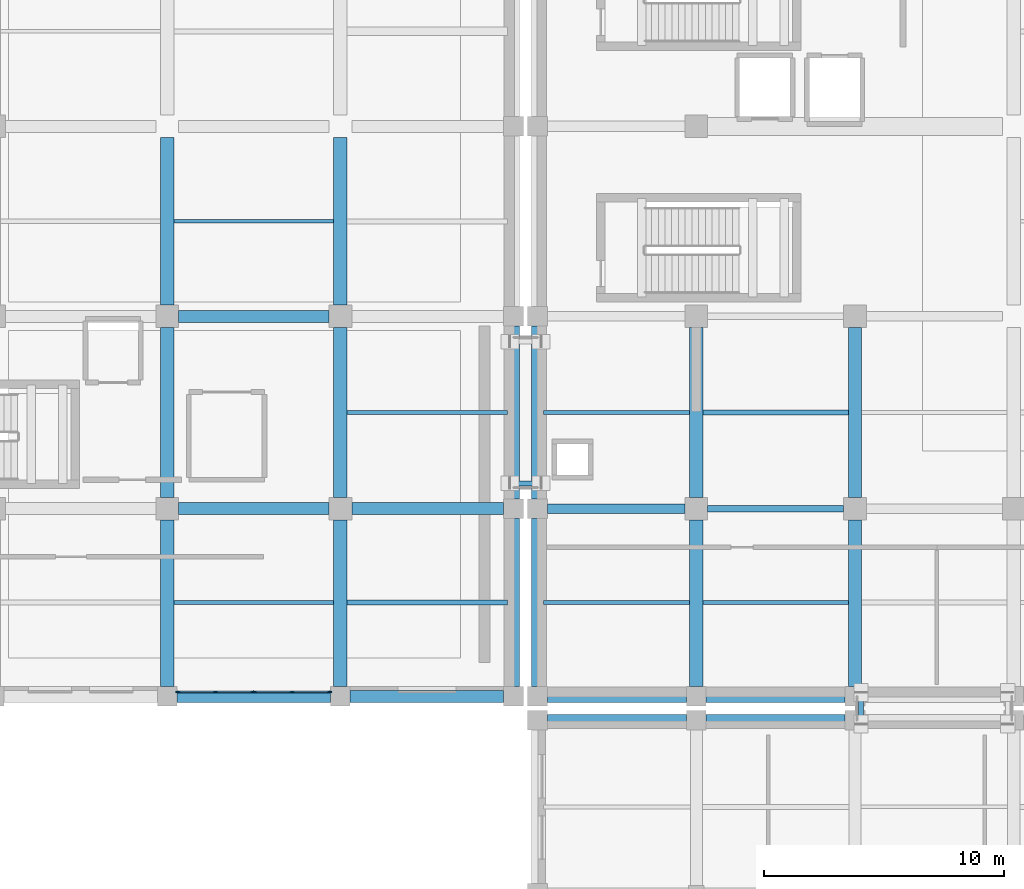
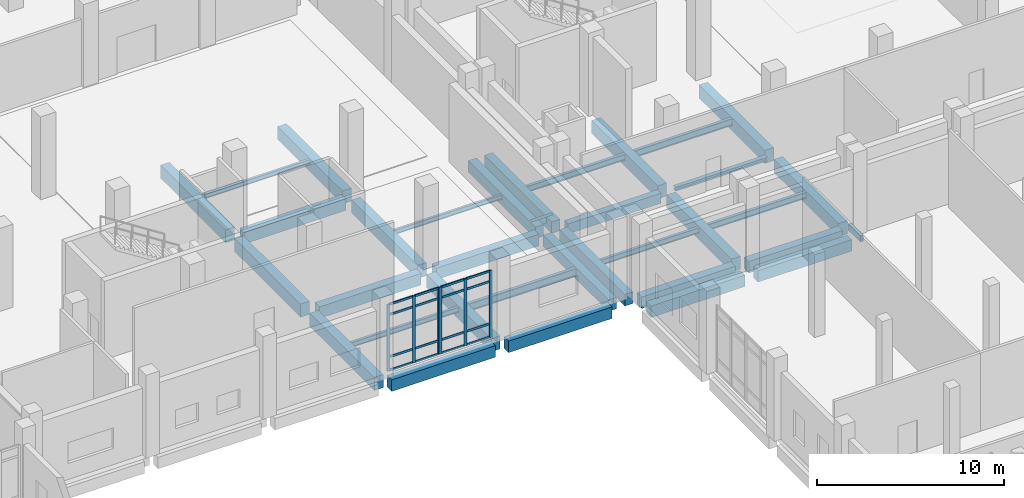
# One storey, part 16 of 79: 35 beams, 22 members, 2 elements without a shape of their own.
"""IFC4 building model written with IfcOpenShell, lengths in metres."""

from ifc_helpers import new_model, si_unit, direction, frame, origin, origin_2d, place, context, subcontext, project, spatial, rectangle, hollow_rectangle, i_section, extrude, material, layer, layer_set, material_profile, profile_set, type_object, element, aggregate, save


model = new_model("IFC4")

# Units and contexts
model_context = context("Model", 3, precision=1e-05, world=origin(), true_north=direction((0.0, 1.0)))
body_context = subcontext(model_context, "Body", "Model", "MODEL_VIEW")
ifc_project = project(units=[si_unit("LENGTHUNIT", "METRE"), si_unit("AREAUNIT", "SQUARE_METRE"), si_unit("VOLUMEUNIT", "CUBIC_METRE"), si_unit("PLANEANGLEUNIT", "RADIAN"), si_unit("MASSUNIT", "GRAM", prefix="KILO")], contexts=[model_context])

# Site, building, storey
site_placement = place(None, origin())
site = spatial("IfcSite", under=ifc_project, at=site_placement, CompositionType="ELEMENT")
building_placement = place(site_placement, origin())
building = spatial("IfcBuilding", under=site, at=building_placement, Name="Kelarvand Opera House", CompositionType="ELEMENT")
storey_placement = place(building_placement, origin())
storey = spatial("IfcBuildingStorey", under=building, at=storey_placement, Name="L00", CompositionType="ELEMENT", Elevation=0.0)

# Curtain wall, members
ifc_material_1 = material(Name="Thermally broken aluminium and low-E glazing", Category="aluminium")
ifc_layer = layer(ifc_material_1, 0.179931640625, Name="Thermally broken aluminium and low-E glazing", Category="aluminium")
ifc_layer_set = layer_set([ifc_layer], Name="Thermally broken aluminium and low-E glazing")
curtain_wall_type = type_object("IfcCurtainWallType", Name="Unitised Low-E Curtain Wall 3176x4350 Mod 1350 CWF-09", PredefinedType="USERDEFINED", material=ifc_layer_set)
curtain_wall_1_placement = place(storey_placement, origin())
curtain_wall_1 = element("IfcCurtainWall", 1, at=curtain_wall_1_placement, inside=storey, type_object=curtain_wall_type, Name="V2 L00 Curtain Wall CWF-09 (29)", ObjectType="UNITISED CURTAIN WALL", PredefinedType="USERDEFINED")
ifc_material_2 = material(Name="Thermally broken anodised aluminium", Category="aluminium")
ifc_material_profile_1 = material_profile(ifc_material_2, rectangle(XDim=0.06494140625, YDim=0.179931640625, at=origin_2d()), Name="ALU MULLION 65x180", Category="aluminium")
ifc_profile_set_1 = profile_set([ifc_material_profile_1], Name="Thermally broken anodised aluminium")
member_type_1 = type_object("IfcMemberType", Name="Curtain Wall Mullion 65x180 Aluminium", PredefinedType="MULLION", material=ifc_profile_set_1)
member_1_placement = place(storey_placement, frame((80.347412109375, 38.97998046875, 0.0), z_axis=(0.0, 0.0, 1.0), x_axis=(0.0, -1.0, 0.0)))
member_1 = element("IfcMember", 2, at=member_1_placement, type_object=member_type_1, Name="CWF-09 mullion 1", PredefinedType="MULLION", context=body_context, shape_type="SweptSolid", body=[
    extrude(rectangle(XDim=0.06494140625, YDim=0.179931640625, at=origin_2d()), origin(), (0.0, 0.0, 1.0), 4.35009765625),
])
member_2_placement = place(storey_placement, frame((78.7919921875, 38.97998046875, 0.0), z_axis=(0.0, 0.0, 1.0), x_axis=(0.0, -1.0, 0.0)))
member_2 = element("IfcMember", 3, at=member_2_placement, type_object=member_type_1, Name="CWF-09 mullion 2", PredefinedType="MULLION", context=body_context, shape_type="SweptSolid", body=[
    extrude(rectangle(XDim=0.06494140625, YDim=0.179931640625, at=origin_2d()), origin(), (0.0, 0.0, 1.0), 4.35009765625),
])
member_3_placement = place(storey_placement, frame((77.236572265625, 38.97998046875, 0.0), z_axis=(0.0, 0.0, 1.0), x_axis=(0.0, -1.0, 0.0)))
member_3 = element("IfcMember", 4, at=member_3_placement, type_object=member_type_1, Name="CWF-09 mullion 3", PredefinedType="MULLION", context=body_context, shape_type="SweptSolid", body=[
    extrude(rectangle(XDim=0.06494140625, YDim=0.179931640625, at=origin_2d()), origin(), (0.0, 0.0, 1.0), 4.35009765625),
])

curtain_wall_2_placement = place(storey_placement, origin())
curtain_wall_2 = element("IfcCurtainWall", 5, at=curtain_wall_2_placement, inside=storey, type_object=curtain_wall_type, Name="V2 L00 Curtain Wall CWF-09 (30)", ObjectType="UNITISED CURTAIN WALL", PredefinedType="USERDEFINED")
member_4_placement = place(storey_placement, frame((77.16748046875, 38.97998046875, 0.0), z_axis=(0.0, 0.0, 1.0), x_axis=(0.0, -1.0, 0.0)))
member_4 = element("IfcMember", 6, at=member_4_placement, type_object=member_type_1, Name="CWF-09 mullion 1", PredefinedType="MULLION", context=body_context, shape_type="SweptSolid", body=[
    extrude(rectangle(XDim=0.06494140625, YDim=0.179931640625, at=origin_2d()), origin(), (0.0, 0.0, 1.0), 4.35009765625),
])
member_5_placement = place(storey_placement, frame((75.610107421875, 38.97998046875, 0.0), z_axis=(0.0, 0.0, 1.0), x_axis=(0.0, -1.0, 0.0)))
member_5 = element("IfcMember", 7, at=member_5_placement, type_object=member_type_1, Name="CWF-09 mullion 2", PredefinedType="MULLION", context=body_context, shape_type="SweptSolid", body=[
    extrude(rectangle(XDim=0.06494140625, YDim=0.179931640625, at=origin_2d()), origin(), (0.0, 0.0, 1.0), 4.35009765625),
])
member_6_placement = place(storey_placement, frame((74.052490234375, 38.97998046875, 0.0), z_axis=(0.0, 0.0, 1.0), x_axis=(0.0, -1.0, 0.0)))
member_6 = element("IfcMember", 8, at=member_6_placement, type_object=member_type_1, Name="CWF-09 mullion 3", PredefinedType="MULLION", context=body_context, shape_type="SweptSolid", body=[
    extrude(rectangle(XDim=0.06494140625, YDim=0.179931640625, at=origin_2d()), origin(), (0.0, 0.0, 1.0), 4.35009765625),
])

# Member
ifc_material_profile_2 = material_profile(ifc_material_2, rectangle(XDim=0.06494140625, YDim=0.139892578125, at=origin_2d()), Name="ALU TRANSOM 65x140", Category="aluminium")
ifc_profile_set_2 = profile_set([ifc_material_profile_2], Name="Thermally broken anodised aluminium")
member_type_2 = type_object("IfcMemberType", Name="Curtain Wall Transom 65x140 Aluminium", PredefinedType="USERDEFINED", material=ifc_profile_set_2)
member_7_placement = place(storey_placement, frame((80.31494140625, 38.97998046875, 0.032470703125), z_axis=(-1.0, 0.0, 0.0), x_axis=(0.0, -1.0, 0.0)))
member_7 = element("IfcMember", 9, at=member_7_placement, type_object=member_type_2, Name="CWF-09 transom 1.1", ObjectType="TRANSOM", PredefinedType="USERDEFINED", context=body_context, shape_type="SweptSolid", body=[
    extrude(rectangle(XDim=0.06494140625, YDim=0.139892578125, at=origin_2d()), origin(), (0.0, 0.0, 1.0), 1.490478515625),
])

member_8_placement = place(storey_placement, frame((80.31494140625, 38.97998046875, 0.89990234375), z_axis=(-1.0, 0.0, 0.0), x_axis=(0.0, -1.0, 0.0)))
member_8 = element("IfcMember", 10, at=member_8_placement, type_object=member_type_2, Name="CWF-09 transom 1.2", ObjectType="TRANSOM", PredefinedType="USERDEFINED", context=body_context, shape_type="SweptSolid", body=[
    extrude(rectangle(XDim=0.06494140625, YDim=0.139892578125, at=origin_2d()), origin(), (0.0, 0.0, 1.0), 1.490478515625),
])

member_9_placement = place(storey_placement, frame((80.31494140625, 38.97998046875, 3.64990234375), z_axis=(-1.0, 0.0, 0.0), x_axis=(0.0, -1.0, 0.0)))
member_9 = element("IfcMember", 11, at=member_9_placement, type_object=member_type_2, Name="CWF-09 transom 1.3", ObjectType="TRANSOM", PredefinedType="USERDEFINED", context=body_context, shape_type="SweptSolid", body=[
    extrude(rectangle(XDim=0.06494140625, YDim=0.139892578125, at=origin_2d()), origin(), (0.0, 0.0, 1.0), 1.490478515625),
])

member_10_placement = place(storey_placement, frame((80.31494140625, 38.97998046875, 4.3173828125), z_axis=(-1.0, 0.0, 0.0), x_axis=(0.0, -1.0, 0.0)))
member_10 = element("IfcMember", 12, at=member_10_placement, type_object=member_type_2, Name="CWF-09 transom 1.4", ObjectType="TRANSOM", PredefinedType="USERDEFINED", context=body_context, shape_type="SweptSolid", body=[
    extrude(rectangle(XDim=0.06494140625, YDim=0.139892578125, at=origin_2d()), origin(), (0.0, 0.0, 1.0), 1.490478515625),
])

member_11_placement = place(storey_placement, frame((78.759521484375, 38.97998046875, 0.032470703125), z_axis=(-1.0, 0.0, 0.0), x_axis=(0.0, -1.0, 0.0)))
member_11 = element("IfcMember", 13, at=member_11_placement, type_object=member_type_2, Name="CWF-09 transom 2.1", ObjectType="TRANSOM", PredefinedType="USERDEFINED", context=body_context, shape_type="SweptSolid", body=[
    extrude(rectangle(XDim=0.06494140625, YDim=0.139892578125, at=origin_2d()), origin(), (0.0, 0.0, 1.0), 1.490478515625),
])

member_12_placement = place(storey_placement, frame((78.759521484375, 38.97998046875, 0.89990234375), z_axis=(-1.0, 0.0, 0.0), x_axis=(0.0, -1.0, 0.0)))
member_12 = element("IfcMember", 14, at=member_12_placement, type_object=member_type_2, Name="CWF-09 transom 2.2", ObjectType="TRANSOM", PredefinedType="USERDEFINED", context=body_context, shape_type="SweptSolid", body=[
    extrude(rectangle(XDim=0.06494140625, YDim=0.139892578125, at=origin_2d()), origin(), (0.0, 0.0, 1.0), 1.490478515625),
])

member_13_placement = place(storey_placement, frame((78.759521484375, 38.97998046875, 3.64990234375), z_axis=(-1.0, 0.0, 0.0), x_axis=(0.0, -1.0, 0.0)))
member_13 = element("IfcMember", 15, at=member_13_placement, type_object=member_type_2, Name="CWF-09 transom 2.3", ObjectType="TRANSOM", PredefinedType="USERDEFINED", context=body_context, shape_type="SweptSolid", body=[
    extrude(rectangle(XDim=0.06494140625, YDim=0.139892578125, at=origin_2d()), origin(), (0.0, 0.0, 1.0), 1.490478515625),
])

member_14_placement = place(storey_placement, frame((78.759521484375, 38.97998046875, 4.3173828125), z_axis=(-1.0, 0.0, 0.0), x_axis=(0.0, -1.0, 0.0)))
member_14 = element("IfcMember", 16, at=member_14_placement, type_object=member_type_2, Name="CWF-09 transom 2.4", ObjectType="TRANSOM", PredefinedType="USERDEFINED", context=body_context, shape_type="SweptSolid", body=[
    extrude(rectangle(XDim=0.06494140625, YDim=0.139892578125, at=origin_2d()), origin(), (0.0, 0.0, 1.0), 1.490478515625),
])

aggregate(curtain_wall_1, [member_1, member_2, member_3, member_7, member_8, member_9, member_10, member_11, member_12, member_13, member_14])

member_15_placement = place(storey_placement, frame((77.135009765625, 38.97998046875, 0.032470703125), z_axis=(-1.0, 0.0, 0.0), x_axis=(0.0, -1.0, 0.0)))
member_15 = element("IfcMember", 17, at=member_15_placement, type_object=member_type_2, Name="CWF-09 transom 1.1", ObjectType="TRANSOM", PredefinedType="USERDEFINED", context=body_context, shape_type="SweptSolid", body=[
    extrude(rectangle(XDim=0.06494140625, YDim=0.139892578125, at=origin_2d()), origin(), (0.0, 0.0, 1.0), 1.492431640625),
])

member_16_placement = place(storey_placement, frame((77.135009765625, 38.97998046875, 0.89990234375), z_axis=(-1.0, 0.0, 0.0), x_axis=(0.0, -1.0, 0.0)))
member_16 = element("IfcMember", 18, at=member_16_placement, type_object=member_type_2, Name="CWF-09 transom 1.2", ObjectType="TRANSOM", PredefinedType="USERDEFINED", context=body_context, shape_type="SweptSolid", body=[
    extrude(rectangle(XDim=0.06494140625, YDim=0.139892578125, at=origin_2d()), origin(), (0.0, 0.0, 1.0), 1.492431640625),
])

member_17_placement = place(storey_placement, frame((77.135009765625, 38.97998046875, 3.64990234375), z_axis=(-1.0, 0.0, 0.0), x_axis=(0.0, -1.0, 0.0)))
member_17 = element("IfcMember", 19, at=member_17_placement, type_object=member_type_2, Name="CWF-09 transom 1.3", ObjectType="TRANSOM", PredefinedType="USERDEFINED", context=body_context, shape_type="SweptSolid", body=[
    extrude(rectangle(XDim=0.06494140625, YDim=0.139892578125, at=origin_2d()), origin(), (0.0, 0.0, 1.0), 1.492431640625),
])

member_18_placement = place(storey_placement, frame((77.135009765625, 38.97998046875, 4.3173828125), z_axis=(-1.0, 0.0, 0.0), x_axis=(0.0, -1.0, 0.0)))
member_18 = element("IfcMember", 20, at=member_18_placement, type_object=member_type_2, Name="CWF-09 transom 1.4", ObjectType="TRANSOM", PredefinedType="USERDEFINED", context=body_context, shape_type="SweptSolid", body=[
    extrude(rectangle(XDim=0.06494140625, YDim=0.139892578125, at=origin_2d()), origin(), (0.0, 0.0, 1.0), 1.492431640625),
])

member_19_placement = place(storey_placement, frame((75.577392578125, 38.97998046875, 0.032470703125), z_axis=(-1.0, 0.0, 0.0), x_axis=(0.0, -1.0, 0.0)))
member_19 = element("IfcMember", 21, at=member_19_placement, type_object=member_type_2, Name="CWF-09 transom 2.1", ObjectType="TRANSOM", PredefinedType="USERDEFINED", context=body_context, shape_type="SweptSolid", body=[
    extrude(rectangle(XDim=0.06494140625, YDim=0.139892578125, at=origin_2d()), origin(), (0.0, 0.0, 1.0), 1.492431640625),
])

member_20_placement = place(storey_placement, frame((75.577392578125, 38.97998046875, 0.89990234375), z_axis=(-1.0, 0.0, 0.0), x_axis=(0.0, -1.0, 0.0)))
member_20 = element("IfcMember", 22, at=member_20_placement, type_object=member_type_2, Name="CWF-09 transom 2.2", ObjectType="TRANSOM", PredefinedType="USERDEFINED", context=body_context, shape_type="SweptSolid", body=[
    extrude(rectangle(XDim=0.06494140625, YDim=0.139892578125, at=origin_2d()), origin(), (0.0, 0.0, 1.0), 1.492431640625),
])

member_21_placement = place(storey_placement, frame((75.577392578125, 38.97998046875, 3.64990234375), z_axis=(-1.0, 0.0, 0.0), x_axis=(0.0, -1.0, 0.0)))
member_21 = element("IfcMember", 23, at=member_21_placement, type_object=member_type_2, Name="CWF-09 transom 2.3", ObjectType="TRANSOM", PredefinedType="USERDEFINED", context=body_context, shape_type="SweptSolid", body=[
    extrude(rectangle(XDim=0.06494140625, YDim=0.139892578125, at=origin_2d()), origin(), (0.0, 0.0, 1.0), 1.492431640625),
])

member_22_placement = place(storey_placement, frame((75.577392578125, 38.97998046875, 4.3173828125), z_axis=(-1.0, 0.0, 0.0), x_axis=(0.0, -1.0, 0.0)))
member_22 = element("IfcMember", 24, at=member_22_placement, type_object=member_type_2, Name="CWF-09 transom 2.4", ObjectType="TRANSOM", PredefinedType="USERDEFINED", context=body_context, shape_type="SweptSolid", body=[
    extrude(rectangle(XDim=0.06494140625, YDim=0.139892578125, at=origin_2d()), origin(), (0.0, 0.0, 1.0), 1.492431640625),
])

aggregate(curtain_wall_2, [member_4, member_5, member_6, member_15, member_16, member_17, member_18, member_19, member_20, member_21, member_22])

# Beams
ifc_material_3 = material(Name="Concrete C40/50", Category="concrete")
ifc_material_profile_3 = material_profile(ifc_material_3, rectangle(XDim=0.5, YDim=0.75, at=origin_2d()), Name="RC 500x750", Category="concrete")
ifc_profile_set_3 = profile_set([ifc_material_profile_3], Name="Concrete C40/50")
beam_type_1 = type_object("IfcBeamType", Name="Structural Beam RC 500x750 BM-RC500x750", PredefinedType="BEAM", material=ifc_profile_set_3)
beam_1_placement = place(storey_placement, frame((74.074951171875, 46.60009765625, -0.695068359375), z_axis=(1.0, 0.0, 0.0), x_axis=(0.0, 1.0, 0.0)))
element("IfcBeam", 25, at=beam_1_placement, inside=storey, type_object=beam_type_1, Name="V2 L00 Beam BM-RC500x750", PredefinedType="BEAM", context=body_context, shape_type="SweptSolid", body=[
    extrude(rectangle(XDim=0.5, YDim=0.75, at=origin_2d()), origin(), (0.0, 0.0, 1.0), 6.25),
])
beam_2_placement = place(storey_placement, frame((81.27490234375, 46.60009765625, -0.695068359375), z_axis=(1.0, 0.0, 0.0), x_axis=(0.0, 1.0, 0.0)))
element("IfcBeam", 26, at=beam_2_placement, inside=storey, type_object=beam_type_1, Name="V2 L00 Beam BM-RC500x750", PredefinedType="BEAM", context=body_context, shape_type="SweptSolid", body=[
    extrude(rectangle(XDim=0.5, YDim=0.75, at=origin_2d()), origin(), (0.0, 0.0, 1.0), 6.315185546875),
])
beam_3_placement = place(storey_placement, frame((74.074951171875, 54.60009765625, -0.695068359375), z_axis=(1.0, 0.0, 0.0), x_axis=(0.0, 1.0, 0.0)))
element("IfcBeam", 27, at=beam_3_placement, inside=storey, type_object=beam_type_1, Name="V2 L00 Beam BM-RC500x750", PredefinedType="BEAM", context=body_context, shape_type="SweptSolid", body=[
    extrude(rectangle(XDim=0.5, YDim=0.75, at=origin_2d()), origin(), (0.0, 0.0, 1.0), 6.25),
])
ifc_material_profile_4 = material_profile(ifc_material_3, rectangle(XDim=0.550048828125, YDim=0.85009765625, at=origin_2d()), Name="RC 550x850", Category="concrete")
ifc_profile_set_4 = profile_set([ifc_material_profile_4], Name="Concrete C40/50")
beam_type_2 = type_object("IfcBeamType", Name="Structural Beam RC 550x850 BM-RC550x850", PredefinedType="BEAM", material=ifc_profile_set_4)
beam_4_placement = place(storey_placement, frame((95.60009765625, 39.2099609375, -0.7451171875), z_axis=(0.0, 1.0, 0.0), x_axis=(-1.0, 0.0, 0.0)))
element("IfcBeam", 28, at=beam_4_placement, inside=storey, type_object=beam_type_2, Name="V1 L00 Beam BM-RC550x850", PredefinedType="BEAM", context=body_context, shape_type="SweptSolid", body=[
    extrude(rectangle(XDim=0.550048828125, YDim=0.85009765625, at=origin_2d()), origin(), (0.0, 0.0, 1.0), 6.9150390625),
])
beam_5_placement = place(storey_placement, frame((95.60009765625, 47.074951171875, -0.7451171875), z_axis=(0.0, 1.0, 0.0), x_axis=(-1.0, 0.0, 0.0)))
element("IfcBeam", 29, at=beam_5_placement, inside=storey, type_object=beam_type_2, Name="V1 L00 Beam BM-RC550x850", PredefinedType="BEAM", context=body_context, shape_type="SweptSolid", body=[
    extrude(rectangle(XDim=0.550048828125, YDim=0.85009765625, at=origin_2d()), origin(), (0.0, 0.0, 1.0), 7.050048828125),
])
beam_6_placement = place(storey_placement, frame((102.199951171875, 39.2099609375, -0.7451171875), z_axis=(0.0, 1.0, 0.0), x_axis=(-1.0, 0.0, 0.0)))
element("IfcBeam", 30, at=beam_6_placement, inside=storey, type_object=beam_type_2, Name="V1 L00 Beam BM-RC550x850", PredefinedType="BEAM", context=body_context, shape_type="SweptSolid", body=[
    extrude(rectangle(XDim=0.550048828125, YDim=0.85009765625, at=origin_2d()), origin(), (0.0, 0.0, 1.0), 6.9150390625),
])
beam_7_placement = place(storey_placement, frame((102.199951171875, 47.074951171875, -0.7451171875), z_axis=(0.0, 1.0, 0.0), x_axis=(-1.0, 0.0, 0.0)))
element("IfcBeam", 31, at=beam_7_placement, inside=storey, type_object=beam_type_2, Name="V1 L00 Beam BM-RC550x850", PredefinedType="BEAM", context=body_context, shape_type="SweptSolid", body=[
    extrude(rectangle(XDim=0.550048828125, YDim=0.85009765625, at=origin_2d()), origin(), (0.0, 0.0, 1.0), 7.050048828125),
])
beam_8_placement = place(storey_placement, frame((73.60009765625, 39.2099609375, -0.7451171875), z_axis=(0.0, 1.0, 0.0), x_axis=(-1.0, 0.0, 0.0)))
element("IfcBeam", 32, at=beam_8_placement, inside=storey, type_object=beam_type_2, Name="V2 L00 Beam BM-RC550x850", PredefinedType="BEAM", context=body_context, shape_type="SweptSolid", body=[
    extrude(rectangle(XDim=0.550048828125, YDim=0.85009765625, at=origin_2d()), origin(), (0.0, 0.0, 1.0), 6.9150390625),
])
beam_9_placement = place(storey_placement, frame((73.60009765625, 47.074951171875, -0.7451171875), z_axis=(0.0, 1.0, 0.0), x_axis=(-1.0, 0.0, 0.0)))
element("IfcBeam", 33, at=beam_9_placement, inside=storey, type_object=beam_type_2, Name="V2 L00 Beam BM-RC550x850", PredefinedType="BEAM", context=body_context, shape_type="SweptSolid", body=[
    extrude(rectangle(XDim=0.550048828125, YDim=0.85009765625, at=origin_2d()), origin(), (0.0, 0.0, 1.0), 7.050048828125),
])
beam_10_placement = place(storey_placement, frame((73.60009765625, 55.074951171875, -0.7451171875), z_axis=(0.0, 1.0, 0.0), x_axis=(-1.0, 0.0, 0.0)))
element("IfcBeam", 34, at=beam_10_placement, inside=storey, type_object=beam_type_2, Name="V2 L00 Beam BM-RC550x850", PredefinedType="BEAM", context=body_context, shape_type="SweptSolid", body=[
    extrude(rectangle(XDim=0.550048828125, YDim=0.85009765625, at=origin_2d()), origin(), (0.0, 0.0, 1.0), 6.949951171875),
])
beam_11_placement = place(storey_placement, frame((80.800048828125, 39.2099609375, -0.7451171875), z_axis=(0.0, 1.0, 0.0), x_axis=(-1.0, 0.0, 0.0)))
element("IfcBeam", 35, at=beam_11_placement, inside=storey, type_object=beam_type_2, Name="V2 L00 Beam BM-RC550x850", PredefinedType="BEAM", context=body_context, shape_type="SweptSolid", body=[
    extrude(rectangle(XDim=0.550048828125, YDim=0.85009765625, at=origin_2d()), origin(), (0.0, 0.0, 1.0), 6.9150390625),
])
beam_12_placement = place(storey_placement, frame((80.800048828125, 47.074951171875, -0.7451171875), z_axis=(0.0, 1.0, 0.0), x_axis=(-1.0, 0.0, 0.0)))
element("IfcBeam", 36, at=beam_12_placement, inside=storey, type_object=beam_type_2, Name="V2 L00 Beam BM-RC550x850", PredefinedType="BEAM", context=body_context, shape_type="SweptSolid", body=[
    extrude(rectangle(XDim=0.550048828125, YDim=0.85009765625, at=origin_2d()), origin(), (0.0, 0.0, 1.0), 7.050048828125),
])
beam_13_placement = place(storey_placement, frame((80.800048828125, 55.074951171875, -0.7451171875), z_axis=(0.0, 1.0, 0.0), x_axis=(-1.0, 0.0, 0.0)))
element("IfcBeam", 37, at=beam_13_placement, inside=storey, type_object=beam_type_2, Name="V2 L00 Beam BM-RC550x850", PredefinedType="BEAM", context=body_context, shape_type="SweptSolid", body=[
    extrude(rectangle(XDim=0.550048828125, YDim=0.85009765625, at=origin_2d()), origin(), (0.0, 0.0, 1.0), 6.949951171875),
])
ifc_material_4 = material(Name="Steel S355", Category="steel")
ifc_material_profile_5 = material_profile(ifc_material_4, hollow_rectangle(XDim=0.199951171875, YDim=0.39990234375, WallThickness=0.01611328125, at=origin_2d()), Name="RHS 400x200x16.0", Category="steel")
ifc_profile_set_5 = profile_set([ifc_material_profile_5], Name="Steel S355")
beam_type_3 = type_object("IfcBeamType", Name="Structural Beam RHS 400x200x16.0 BM-RHS400", PredefinedType="BEAM", material=ifc_profile_set_5)
beam_14_placement = place(storey_placement, frame((87.85009765625, 47.64990234375, -0.52001953125), z_axis=(1.0, 0.0, 0.0), x_axis=(0.0, 1.0, 0.0)))
element("IfcBeam", 38, at=beam_14_placement, inside=storey, type_object=beam_type_3, Name="Seismic Sliding Corbel Beam BR-JP-S L00 1", PredefinedType="BEAM", context=body_context, shape_type="SweptSolid", body=[
    extrude(hollow_rectangle(XDim=0.199951171875, YDim=0.39990234375, WallThickness=0.01611328125, at=origin_2d()), origin(), (0.0, 0.0, 1.0), 1.2998046875),
])
beam_15_placement = place(storey_placement, frame((102.449951171875, 37.64990234375, -0.52001953125), z_axis=(0.0, 1.0, 0.0), x_axis=(-1.0, 0.0, 0.0)))
element("IfcBeam", 39, at=beam_15_placement, inside=storey, type_object=beam_type_3, Name="Seismic Sliding Corbel Beam BR-JS-E L00 1", PredefinedType="BEAM", context=body_context, shape_type="SweptSolid", body=[
    extrude(hollow_rectangle(XDim=0.199951171875, YDim=0.39990234375, WallThickness=0.01611328125, at=origin_2d()), origin(), (0.0, 0.0, 1.0), 1.300048828125),
])
ifc_material_profile_6 = material_profile(ifc_material_4, i_section(OverallWidth=0.14990234375, OverallDepth=0.300048828125, WebThickness=0.007080078125, FlangeThickness=0.0107421875, at=origin_2d()), Name="IPE 300", Category="steel")
ifc_profile_set_6 = profile_set([ifc_material_profile_6], Name="Steel S355")
beam_type_4 = type_object("IfcBeamType", Name="Structural Joist IPE 300 JS-IPE300", PredefinedType="JOIST", material=ifc_profile_set_6)
beam_16_placement = place(storey_placement, frame((73.875, 58.550048828125, -0.469970703125), z_axis=(1.0, 0.0, 0.0), x_axis=(0.0, 1.0, 0.0)))
element("IfcBeam", 40, at=beam_16_placement, inside=storey, type_object=beam_type_4, Name="V2 L00 Beam JS-IPE300", PredefinedType="JOIST", context=body_context, shape_type="SweptSolid", body=[
    extrude(i_section(OverallWidth=0.14990234375, OverallDepth=0.300048828125, WebThickness=0.007080078125, FlangeThickness=0.0107421875, at=origin_2d()), origin(), (0.0, 0.0, 1.0), 6.64990234375),
])
beam_17_placement = place(storey_placement, frame((81.074951171875, 50.60009765625, -0.469970703125), z_axis=(1.0, 0.0, 0.0), x_axis=(0.0, 1.0, 0.0)))
element("IfcBeam", 41, at=beam_17_placement, inside=storey, type_object=beam_type_4, Name="V2 L00 Beam JS-IPE300", PredefinedType="JOIST", context=body_context, shape_type="SweptSolid", body=[
    extrude(i_section(OverallWidth=0.14990234375, OverallDepth=0.300048828125, WebThickness=0.007080078125, FlangeThickness=0.0107421875, at=origin_2d()), origin(), (0.0, 0.0, 1.0), 6.675048828125),
])
ifc_material_profile_7 = material_profile(ifc_material_4, i_section(OverallWidth=0.159912109375, OverallDepth=0.330078125, WebThickness=0.007568359375, FlangeThickness=0.011474609375, at=origin_2d()), Name="IPE 330", Category="steel")
ifc_profile_set_7 = profile_set([ifc_material_profile_7], Name="Steel S355")
beam_type_5 = type_object("IfcBeamType", Name="Structural Joist IPE 330 JS-IPE330", PredefinedType="JOIST", material=ifc_profile_set_7)
beam_18_placement = place(storey_placement, frame((73.875, 42.699951171875, -0.485107421875), z_axis=(1.0, 0.0, 0.0), x_axis=(0.0, 1.0, 0.0)))
element("IfcBeam", 42, at=beam_18_placement, inside=storey, type_object=beam_type_5, Name="V2 L00 Beam JS-IPE330", PredefinedType="JOIST", context=body_context, shape_type="SweptSolid", body=[
    extrude(i_section(OverallWidth=0.159912109375, OverallDepth=0.330078125, WebThickness=0.007568359375, FlangeThickness=0.011474609375, at=origin_2d()), origin(), (0.0, 0.0, 1.0), 6.64990234375),
])
ifc_material_profile_8 = material_profile(ifc_material_4, i_section(OverallWidth=0.169921875, OverallDepth=0.360107421875, WebThickness=0.008056640625, FlangeThickness=0.0126953125, at=origin_2d()), Name="IPE 360", Category="steel")
ifc_profile_set_8 = profile_set([ifc_material_profile_8], Name="Steel S355")
beam_type_6 = type_object("IfcBeamType", Name="Structural Joist IPE 360 JS-IPE360", PredefinedType="JOIST", material=ifc_profile_set_8)
beam_19_placement = place(storey_placement, frame((89.25, 42.699951171875, -0.5), z_axis=(1.0, 0.0, 0.0), x_axis=(0.0, 1.0, 0.0)))
element("IfcBeam", 43, at=beam_19_placement, inside=storey, type_object=beam_type_6, Name="V1 L00 Beam JS-IPE360", PredefinedType="JOIST", context=body_context, shape_type="SweptSolid", body=[
    extrude(i_section(OverallWidth=0.169921875, OverallDepth=0.360107421875, WebThickness=0.008056640625, FlangeThickness=0.0126953125, at=origin_2d()), origin(), (0.0, 0.0, 1.0), 6.074951171875),
])
ifc_material_profile_9 = material_profile(ifc_material_4, i_section(OverallWidth=0.179931640625, OverallDepth=0.39990234375, WebThickness=0.008544921875, FlangeThickness=0.013427734375, at=origin_2d()), Name="IPE 400", Category="steel")
ifc_profile_set_9 = profile_set([ifc_material_profile_9], Name="Steel S355")
beam_type_7 = type_object("IfcBeamType", Name="Structural Joist IPE 400 JS-IPE400", PredefinedType="JOIST", material=ifc_profile_set_9)
beam_20_placement = place(storey_placement, frame((89.25, 50.60009765625, -0.52001953125), z_axis=(1.0, 0.0, 0.0), x_axis=(0.0, 1.0, 0.0)))
element("IfcBeam", 44, at=beam_20_placement, inside=storey, type_object=beam_type_7, Name="V1 L00 Beam JS-IPE400", PredefinedType="JOIST", context=body_context, shape_type="SweptSolid", body=[
    extrude(i_section(OverallWidth=0.179931640625, OverallDepth=0.39990234375, WebThickness=0.008544921875, FlangeThickness=0.013427734375, at=origin_2d()), origin(), (0.0, 0.0, 1.0), 6.074951171875),
])
beam_21_placement = place(storey_placement, frame((95.875, 42.699951171875, -0.52001953125), z_axis=(1.0, 0.0, 0.0), x_axis=(0.0, 1.0, 0.0)))
element("IfcBeam", 45, at=beam_21_placement, inside=storey, type_object=beam_type_7, Name="V1 L00 Beam JS-IPE400", PredefinedType="JOIST", context=body_context, shape_type="SweptSolid", body=[
    extrude(i_section(OverallWidth=0.179931640625, OverallDepth=0.39990234375, WebThickness=0.008544921875, FlangeThickness=0.013427734375, at=origin_2d()), origin(), (0.0, 0.0, 1.0), 6.050048828125),
])
ifc_material_profile_10 = material_profile(ifc_material_4, i_section(OverallWidth=0.18994140625, OverallDepth=0.449951171875, WebThickness=0.009521484375, FlangeThickness=0.0146484375, at=origin_2d()), Name="IPE 450", Category="steel")
ifc_profile_set_10 = profile_set([ifc_material_profile_10], Name="Steel S355")
beam_type_8 = type_object("IfcBeamType", Name="Structural Joist IPE 450 JS-IPE450", PredefinedType="JOIST", material=ifc_profile_set_10)
beam_22_placement = place(storey_placement, frame((95.875, 50.60009765625, -0.544921875), z_axis=(1.0, 0.0, 0.0), x_axis=(0.0, 1.0, 0.0)))
element("IfcBeam", 46, at=beam_22_placement, inside=storey, type_object=beam_type_8, Name="V1 L00 Beam JS-IPE450", PredefinedType="JOIST", context=body_context, shape_type="SweptSolid", body=[
    extrude(i_section(OverallWidth=0.18994140625, OverallDepth=0.449951171875, WebThickness=0.009521484375, FlangeThickness=0.0146484375, at=origin_2d()), origin(), (0.0, 0.0, 1.0), 6.050048828125),
])
ifc_material_profile_11 = material_profile(ifc_material_4, i_section(OverallWidth=0.199951171875, OverallDepth=0.5, WebThickness=0.01025390625, FlangeThickness=0.01611328125, at=origin_2d()), Name="IPE 500", Category="steel")
ifc_profile_set_11 = profile_set([ifc_material_profile_11], Name="Steel S355")
beam_type_9 = type_object("IfcBeamType", Name="Structural Joist IPE 500 JS-IPE500", PredefinedType="JOIST", material=ifc_profile_set_11)
beam_23_placement = place(storey_placement, frame((81.074951171875, 42.699951171875, -0.570068359375), z_axis=(1.0, 0.0, 0.0), x_axis=(0.0, 1.0, 0.0)))
element("IfcBeam", 47, at=beam_23_placement, inside=storey, type_object=beam_type_9, Name="V2 L00 Beam JS-IPE500", PredefinedType="JOIST", context=body_context, shape_type="SweptSolid", body=[
    extrude(i_section(OverallWidth=0.199951171875, OverallDepth=0.5, WebThickness=0.01025390625, FlangeThickness=0.01611328125, at=origin_2d()), origin(), (0.0, 0.0, 1.0), 6.675048828125),
])
ifc_material_profile_12 = material_profile(ifc_material_4, i_section(OverallWidth=0.260009765625, OverallDepth=0.25, WebThickness=0.007568359375, FlangeThickness=0.012451171875, at=origin_2d()), Name="HEA 260", Category="steel")
ifc_profile_set_12 = profile_set([ifc_material_profile_12], Name="Steel S355")
beam_type_10 = type_object("IfcBeamType", Name="Structural Lintel HEA 260 LN-HEA260", PredefinedType="LINTEL", material=ifc_profile_set_12)
beam_24_placement = place(storey_placement, frame((96.074951171875, 46.60009765625, -0.445068359375), z_axis=(1.0, 0.0, 0.0), x_axis=(0.0, 1.0, 0.0)))
element("IfcBeam", 48, at=beam_24_placement, inside=storey, type_object=beam_type_10, Name="V1 L00 Beam LN-HEA260", PredefinedType="LINTEL", context=body_context, shape_type="SweptSolid", body=[
    extrude(i_section(OverallWidth=0.260009765625, OverallDepth=0.25, WebThickness=0.007568359375, FlangeThickness=0.012451171875, at=origin_2d()), origin(), (0.0, 0.0, 1.0), 5.650146484375),
])
ifc_material_profile_13 = material_profile(ifc_material_3, rectangle(XDim=0.39990234375, YDim=0.64990234375, at=origin_2d()), Name="RC 400x650", Category="concrete")
ifc_profile_set_13 = profile_set([ifc_material_profile_13], Name="Concrete C40/50")
beam_type_11 = type_object("IfcBeamType", Name="Structural Lintel RC 400x650 LN-RC400x650", PredefinedType="LINTEL", material=ifc_profile_set_13)
beam_25_placement = place(storey_placement, frame((89.409912109375, 46.60009765625, -0.64501953125), z_axis=(1.0, 0.0, 0.0), x_axis=(0.0, 1.0, 0.0)))
element("IfcBeam", 49, at=beam_25_placement, inside=storey, type_object=beam_type_11, Name="V1 L00 Beam LN-RC400x650", PredefinedType="LINTEL", context=body_context, shape_type="SweptSolid", body=[
    extrude(rectangle(XDim=0.39990234375, YDim=0.64990234375, at=origin_2d()), origin(), (0.0, 0.0, 1.0), 5.715087890625),
])
ifc_material_profile_14 = material_profile(ifc_material_3, rectangle(XDim=0.5, YDim=0.75, at=origin_2d()), Name="RC 500x750", Category="concrete")
ifc_profile_set_14 = profile_set([ifc_material_profile_14], Name="Concrete C40/50")
beam_type_12 = type_object("IfcBeamType", Name="Structural Spandrel RC 500x750 SP-RC500x750E", PredefinedType="SPANDREL", material=ifc_profile_set_14)
for number, where, z_axis, x_axis, name in (
    (50, (89.409912109375, 38.800048828125, -0.695068359375), (1.0, 0.0, 0.0), (0.0, 1.0, 0.0), "V1 L00 Beam SP-RC500x750E"),
    (51, (96.010009765625, 38.800048828125, -0.695068359375), (1.0, 0.0, 0.0), (0.0, 1.0, 0.0), "V1 L00 Beam SP-RC500x750E"),
):
    element("IfcBeam", number, at=place(storey_placement, frame(where, z_axis=z_axis, x_axis=x_axis)), inside=storey, type_object=beam_type_12, Name=name, PredefinedType="SPANDREL", context=body_context, shape_type="SweptSolid", body=[
        extrude(rectangle(XDim=0.5, YDim=0.75, at=origin_2d()), origin(), (0.0, 0.0, 1.0), 5.780029296875),
    ])
beam_26_placement = place(storey_placement, frame((89.0, 39.2099609375, -0.695068359375), z_axis=(0.0, 1.0, 0.0), x_axis=(-1.0, 0.0, 0.0)))
element("IfcBeam", 52, at=beam_26_placement, inside=storey, type_object=beam_type_12, Name="V1 L00 Beam SP-RC500x750E", PredefinedType="SPANDREL", context=body_context, shape_type="SweptSolid", body=[
    extrude(rectangle(XDim=0.5, YDim=0.75, at=origin_2d()), origin(), (0.0, 0.0, 1.0), 6.97998046875),
])
beam_27_placement = place(storey_placement, frame((89.0, 47.010009765625, -0.695068359375), z_axis=(0.0, 1.0, 0.0), x_axis=(-1.0, 0.0, 0.0)))
element("IfcBeam", 53, at=beam_27_placement, inside=storey, type_object=beam_type_12, Name="V1 L00 Beam SP-RC500x750E", PredefinedType="SPANDREL", context=body_context, shape_type="SweptSolid", body=[
    extrude(rectangle(XDim=0.5, YDim=0.75, at=origin_2d()), origin(), (0.0, 0.0, 1.0), 7.179931640625),
])
beam_28_placement = place(storey_placement, frame((74.010009765625, 38.800048828125, -0.695068359375), z_axis=(1.0, 0.0, 0.0), x_axis=(0.0, 1.0, 0.0)))
element("IfcBeam", 54, at=beam_28_placement, inside=storey, type_object=beam_type_12, Name="V2 L00 Beam SP-RC500x750E", PredefinedType="SPANDREL", context=body_context, shape_type="SweptSolid", body=[
    extrude(rectangle(XDim=0.5, YDim=0.75, at=origin_2d()), origin(), (0.0, 0.0, 1.0), 6.3798828125),
])
beam_29_placement = place(storey_placement, frame((81.2099609375, 38.800048828125, -0.695068359375), z_axis=(1.0, 0.0, 0.0), x_axis=(0.0, 1.0, 0.0)))
element("IfcBeam", 55, at=beam_29_placement, inside=storey, type_object=beam_type_12, Name="V2 L00 Beam SP-RC500x750E", PredefinedType="SPANDREL", context=body_context, shape_type="SweptSolid", body=[
    extrude(rectangle(XDim=0.5, YDim=0.75, at=origin_2d()), origin(), (0.0, 0.0, 1.0), 6.380126953125),
])
beam_30_placement = place(storey_placement, frame((88.0, 39.2099609375, -0.695068359375), z_axis=(0.0, 1.0, 0.0), x_axis=(-1.0, 0.0, 0.0)))
element("IfcBeam", 56, at=beam_30_placement, inside=storey, type_object=beam_type_12, Name="V2 L00 Beam SP-RC500x750E", PredefinedType="SPANDREL", context=body_context, shape_type="SweptSolid", body=[
    extrude(rectangle(XDim=0.5, YDim=0.75, at=origin_2d()), origin(), (0.0, 0.0, 1.0), 6.97998046875),
])
beam_31_placement = place(storey_placement, frame((88.0, 47.010009765625, -0.695068359375), z_axis=(0.0, 1.0, 0.0), x_axis=(-1.0, 0.0, 0.0)))
element("IfcBeam", 57, at=beam_31_placement, inside=storey, type_object=beam_type_12, Name="V2 L00 Beam SP-RC500x750E", PredefinedType="SPANDREL", context=body_context, shape_type="SweptSolid", body=[
    extrude(rectangle(XDim=0.5, YDim=0.75, at=origin_2d()), origin(), (0.0, 0.0, 1.0), 7.179931640625),
])
for number, where, z_axis, x_axis, name in (
    (58, (89.409912109375, 37.800048828125, -0.675048828125), (1.0, 0.0, 0.0), (0.0, 1.0, 0.0), "V6 L00 Beam SP-RC500x750E"),
    (59, (96.010009765625, 37.800048828125, -0.675048828125), (1.0, 0.0, 0.0), (0.0, 1.0, 0.0), "V6 L00 Beam SP-RC500x750E"),
):
    element("IfcBeam", number, at=place(storey_placement, frame(where, z_axis=z_axis, x_axis=x_axis)), inside=storey, type_object=beam_type_12, Name=name, PredefinedType="SPANDREL", context=body_context, shape_type="SweptSolid", body=[
        extrude(rectangle(XDim=0.5, YDim=0.75, at=origin_2d()), origin(), (0.0, 0.0, 1.0), 5.780029296875),
    ])

save(model, "model.ifc")
